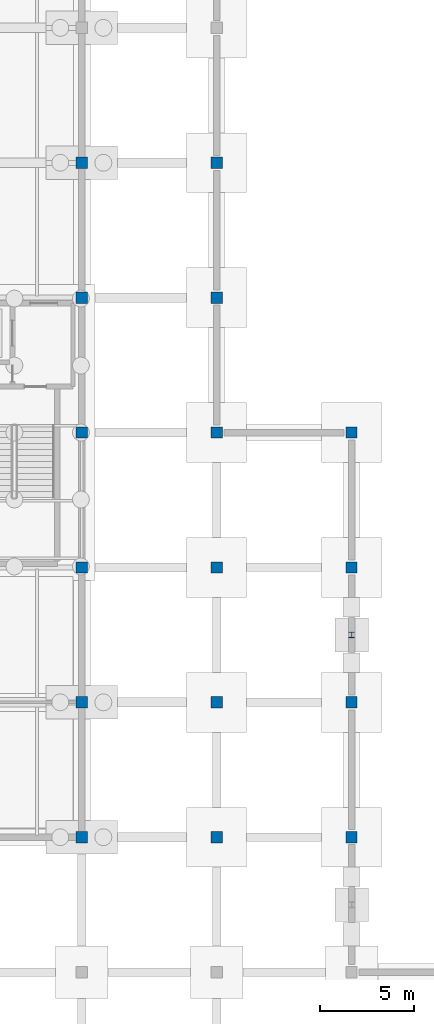
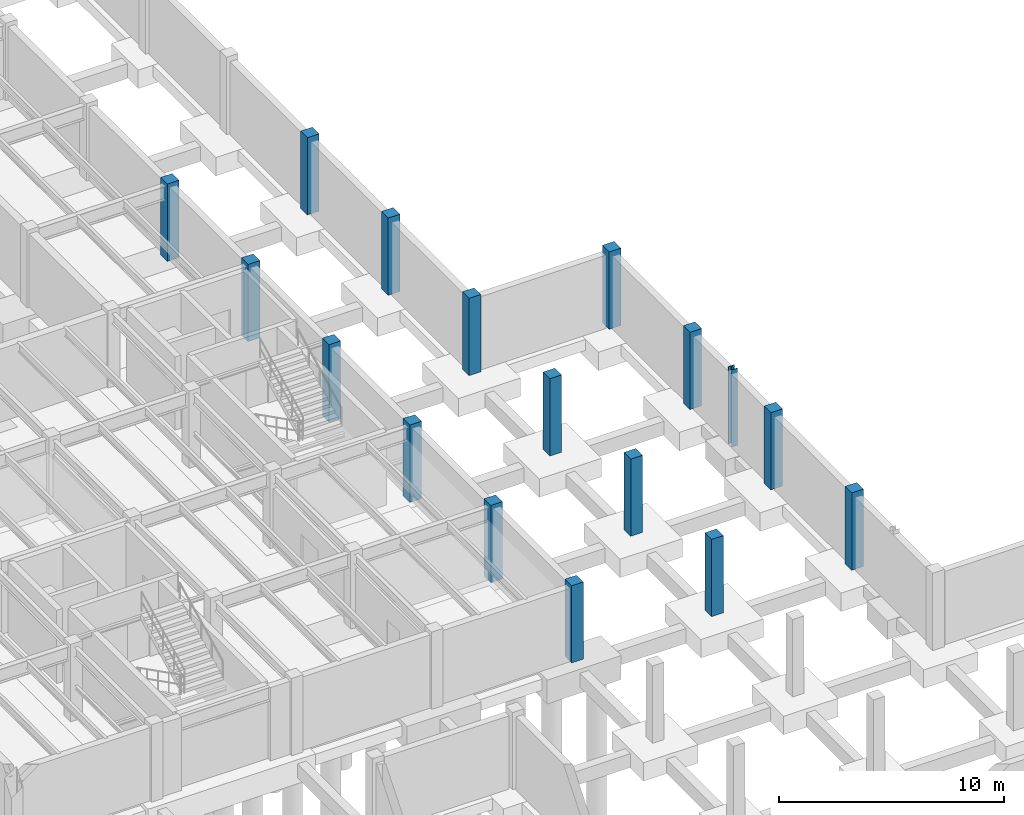
# One storey, part 22 of 46: 17 columns.
"""IFC4 building model written with IfcOpenShell, lengths in metres."""

from ifc_helpers import new_model, si_unit, direction, frame, origin, origin_2d, place, context, subcontext, project, spatial, rectangle, i_section, extrude, material, material_profile, profile_set, type_object, element, save


model = new_model("IFC4")

# Units and contexts
model_context = context("Model", 3, precision=1e-05, world=origin(), true_north=direction((0.0, 1.0)))
body_context = subcontext(model_context, "Body", "Model", "MODEL_VIEW")
ifc_project = project(units=[si_unit("LENGTHUNIT", "METRE"), si_unit("AREAUNIT", "SQUARE_METRE"), si_unit("VOLUMEUNIT", "CUBIC_METRE"), si_unit("PLANEANGLEUNIT", "RADIAN"), si_unit("MASSUNIT", "GRAM", prefix="KILO")], contexts=[model_context])

# Site, building, storey
site_placement = place(None, origin())
site = spatial("IfcSite", under=ifc_project, at=site_placement, CompositionType="ELEMENT")
building_placement = place(site_placement, origin())
building = spatial("IfcBuilding", under=site, at=building_placement, Name="Sillqori Civic Hall", CompositionType="ELEMENT")
storey_placement = place(building_placement, frame((0.0, 0.0, -4.199951171875)))
storey = spatial("IfcBuildingStorey", under=building, at=storey_placement, Name="B01", CompositionType="ELEMENT", Elevation=-4.199951171875)

# Columns
ifc_material_1 = material(Name="Concrete C35/45 (H35)", Category="concrete")
ifc_material_profile_1 = material_profile(ifc_material_1, rectangle(XDim=0.60009765625, YDim=0.60009765625, at=origin_2d()), Name="RC 600x600")
ifc_profile_set_1 = profile_set([ifc_material_profile_1], Name="Concrete C35/45 (H35)")
column_type_1 = type_object("IfcColumnType", Name="COL-RC600", PredefinedType="COLUMN", material=ifc_profile_set_1)
for number, where, z_axis, x_axis, name in (
    (1, (129.60009765625, 36.0, 0.0), (0.0, 0.0, 1.0), (1.0, 0.0, 0.0), "B01 column 18-5"),
    (2, (129.60009765625, 43.199951171875, 0.0), (0.0, 0.0, 1.0), (1.0, 0.0, 0.0), "B01 column 18-6"),
    (3, (129.60009765625, 50.39990234375, 0.0), (0.0, 0.0, 1.0), (1.0, 0.0, 0.0), "B01 column 18-7"),
    (4, (129.60009765625, 57.60009765625, 0.0), (0.0, 0.0, 1.0), (1.0, 0.0, 0.0), "B01 column 18-8"),
    (5, (129.60009765625, 64.800048828125, 0.0), (0.0, 0.0, 1.0), (1.0, 0.0, 0.0), "B01 column 18-9"),
    (6, (129.60009765625, 72.0, 0.0), (0.0, 0.0, 1.0), (1.0, 0.0, 0.0), "B01 column 18-10"),
    (7, (136.800048828125, 36.0, 0.0), (0.0, 0.0, 1.0), (1.0, 0.0, 0.0), "B01 column 19-5"),
    (8, (136.800048828125, 43.199951171875, 0.0), (0.0, 0.0, 1.0), (1.0, 0.0, 0.0), "B01 column 19-6"),
    (9, (136.800048828125, 50.39990234375, 0.0), (0.0, 0.0, 1.0), (1.0, 0.0, 0.0), "B01 column 19-7"),
    (10, (136.800048828125, 57.60009765625, 0.0), (0.0, 0.0, 1.0), (1.0, 0.0, 0.0), "B01 column 19-8"),
    (11, (136.800048828125, 64.800048828125, 0.0), (0.0, 0.0, 1.0), (1.0, 0.0, 0.0), "B01 column 19-9"),
    (12, (136.800048828125, 72.0, 0.0), (0.0, 0.0, 1.0), (1.0, 0.0, 0.0), "B01 column 19-10"),
    (13, (144.0, 36.0, 0.0), (0.0, 0.0, 1.0), (1.0, 0.0, 0.0), "B01 column 20-5"),
    (14, (144.0, 43.199951171875, 0.0), (0.0, 0.0, 1.0), (1.0, 0.0, 0.0), "B01 column 20-6"),
    (15, (144.0, 50.39990234375, 0.0), (0.0, 0.0, 1.0), (1.0, 0.0, 0.0), "B01 column 20-7"),
    (16, (144.0, 57.60009765625, 0.0), (0.0, 0.0, 1.0), (1.0, 0.0, 0.0), "B01 column 20-8"),
):
    element("IfcColumn", number, at=place(storey_placement, frame(where, z_axis=z_axis, x_axis=x_axis)), inside=storey, type_object=column_type_1, Name=name, PredefinedType="COLUMN", context=body_context, shape_type="SweptSolid", body=[
        extrude(rectangle(XDim=0.60009765625, YDim=0.60009765625, at=origin_2d()), origin(), (0.0, 0.0, 1.0), 4.199951171875),
    ])
ifc_material_2 = material(Name="Steel ASTM A992", Category="steel")
ifc_material_profile_2 = material_profile(ifc_material_2, i_section(OverallWidth=0.304931640625, OverallDepth=0.306884765625, WebThickness=0.010009765625, FlangeThickness=0.015380859375, FilletRadius=0.014892578125, at=origin_2d()), Name="W12X65")
ifc_profile_set_2 = profile_set([ifc_material_profile_2], Name="Steel ASTM A992")
column_type_2 = type_object("IfcColumnType", Name="PIL-W12X65", PredefinedType="PILASTER", material=ifc_profile_set_2)
column_placement = place(storey_placement, frame((144.0, 46.800048828125, 0.0), z_axis=(0.0, 0.0, 1.0), x_axis=(1.0, 0.0, 0.0)))
element("IfcColumn", 17, at=column_placement, inside=storey, type_object=column_type_2, Name="B01 facade pilaster 09", PredefinedType="PILASTER", context=body_context, shape_type="SweptSolid", body=[
    extrude(i_section(OverallWidth=0.304931640625, OverallDepth=0.306884765625, WebThickness=0.010009765625, FlangeThickness=0.015380859375, FilletRadius=0.014892578125, at=origin_2d()), origin(), (0.0, 0.0, 1.0), 4.199951171875),
])

save(model, "model.ifc")
